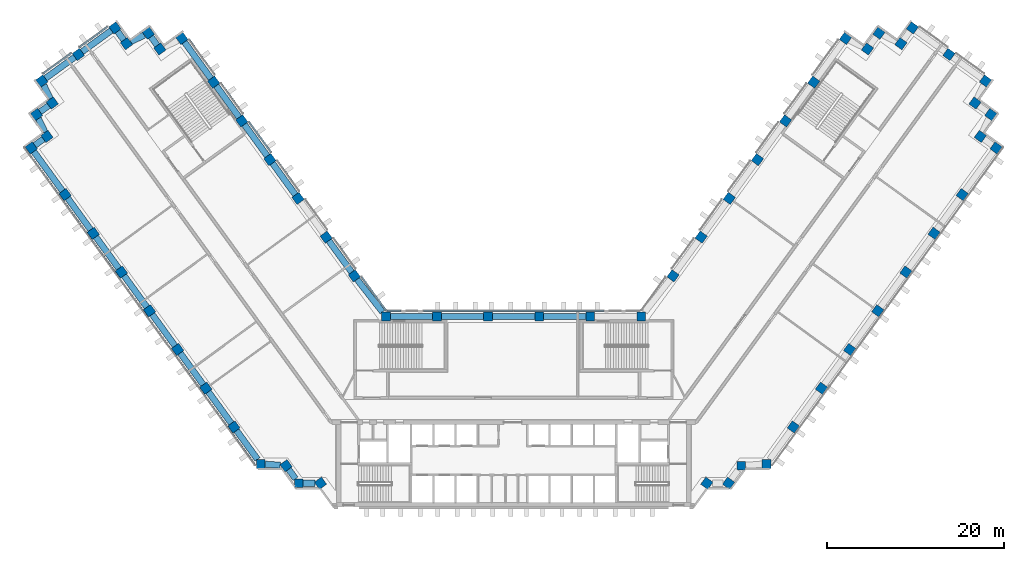
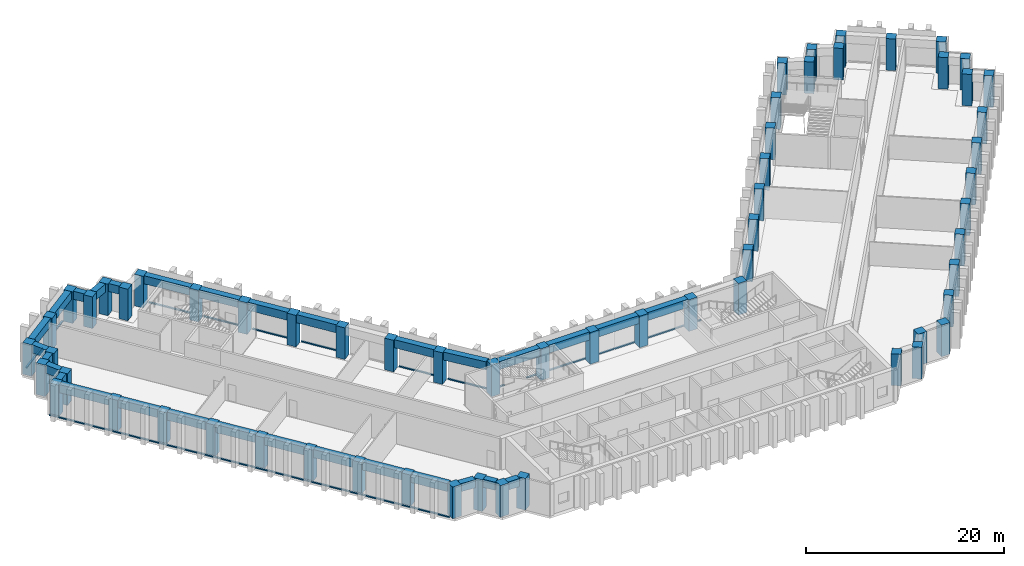
"""IFC4 building model written with IfcOpenShell, lengths in metres."""

from ifc_helpers import new_model, si_unit, direction, frame, origin, origin_2d, place, context, subcontext, project, spatial, rectangle, extrude, material, material_profile, profile_set, type_object, element, aggregate, save


model = new_model("IFC4")

# Units and contexts
model_context = context("Model", 3, precision=1e-05, world=origin(), true_north=direction((0.0, 1.0)))
body_context = subcontext(model_context, "Body", "Model", "MODEL_VIEW")
ifc_project = project(units=[si_unit("LENGTHUNIT", "METRE"), si_unit("AREAUNIT", "SQUARE_METRE"), si_unit("VOLUMEUNIT", "CUBIC_METRE"), si_unit("PLANEANGLEUNIT", "RADIAN"), si_unit("MASSUNIT", "GRAM", prefix="KILO")], contexts=[model_context])

# Site, building, storey
site_placement = place(None, origin())
site = spatial("IfcSite", under=ifc_project, at=site_placement, CompositionType="ELEMENT")
building_placement = place(site_placement, origin())
building = spatial("IfcBuilding", under=site, at=building_placement, Name="Quipu Civic Tower", CompositionType="ELEMENT")
storey_1_placement = place(building_placement, frame((0.0, 0.0, 20.5)))
storey_1 = spatial("IfcBuildingStorey", under=building, at=storey_1_placement, Name="L04", CompositionType="ELEMENT", Elevation=20.5)

# Columns
ifc_material_1 = material(Name="Concrete C80/95", Category="concrete")
ifc_material_profile_1 = material_profile(ifc_material_1, rectangle(XDim=1.0, YDim=1.0, at=origin_2d()), Name="RC1000x1000")
ifc_profile_set_1 = profile_set([ifc_material_profile_1], Name="Concrete C80/95")
column_type = type_object("IfcColumnType", Name="Perimeter column RC 1000x1000 C80/95", PredefinedType="COLUMN", material=ifc_profile_set_1)
for number, where, z_axis, x_axis, name in (
    (1, (-17.9736328125, 15.074951171875, 0.0), (0.0, 0.0, 1.0), (-0.587785252292, 0.809016994375, 0.0), "Column L04 W-IN-01"),
    (2, (-21.1474609375, 19.44384765625, 0.0), (0.0, 0.0, 1.0), (-0.587785252292, 0.809016994375, 0.0), "Column L04 W-IN-02"),
    (3, (-24.3212890625, 23.8125, 0.0), (0.0, 0.0, 1.0), (-0.587785252292, 0.809016994375, 0.0), "Column L04 W-IN-03"),
    (4, (-27.4951171875, 28.181396484375, 0.0), (0.0, 0.0, 1.0), (-0.587785252292, 0.809016994375, 0.0), "Column L04 W-IN-04"),
    (5, (-30.6689453125, 32.55029296875, 0.0), (0.0, 0.0, 1.0), (-0.587785252292, 0.809016994375, 0.0), "Column L04 W-IN-05"),
    (6, (-33.843017578125, 36.919189453125, 0.0), (0.0, 0.0, 1.0), (-0.587785252292, 0.809016994375, 0.0), "Column L04 W-IN-06"),
    (7, (-37.425048828125, 41.85009765625, 0.0), (0.0, 0.0, 1.0), (-0.587785252292, 0.809016994375, 0.0), "Column L04 T-Wi.0-W50"),
    (8, (-39.905517578125, 40.666015625, 0.0), (0.0, 0.0, 1.0), (-0.587785252292, 0.809016994375, 0.0), "Column L04 T-Wi.1-W50"),
    (9, (-41.199951171875, 42.445068359375, 0.0), (0.0, 0.0, 1.0), (-0.587785252292, 0.809016994375, 0.0), "Column L04 T-Wi.2-W50"),
    (10, (-43.674560546875, 41.264892578125, 0.0), (0.0, 0.0, 1.0), (-0.809016994375, -0.587785252292, 0.0), "Column L04 T-Wi.3-W50"),
    (11, (-44.969970703125, 43.044921875, 0.0), (0.0, 0.0, 1.0), (-0.809016994375, -0.587785252292, 0.0), "Column L04 T-Wi.4-W50"),
    (12, (-49.095703125, 40.046875, 0.0), (0.0, 0.0, 1.0), (-0.809016994375, -0.587785252292, 0.0), "Column L04 TIP-W-01-W50"),
    (13, (-53.219970703125, 37.050048828125, 0.0), (0.0, 0.0, 1.0), (0.587785252292, -0.809016994375, 0.0), "Column L04 T-Wo.0-W50"),
    (14, (-52.038818359375, 34.571044921875, 0.0), (0.0, 0.0, 1.0), (-0.809016994375, -0.587785252292, 0.0), "Column L04 T-Wo.1-W50"),
    (15, (-53.820068359375, 33.27490234375, 0.0), (0.0, 0.0, 1.0), (0.587785252292, -0.809016994375, 0.0), "Column L04 T-Wo.2-W50"),
    (16, (-52.635986328125, 30.799560546875, 0.0), (0.0, 0.0, 1.0), (-0.809016994375, -0.587785252292, 0.0), "Column L04 T-Wo.3-W50"),
    (17, (-54.4150390625, 29.5048828125, 0.0), (0.0, 0.0, 1.0), (0.587785252292, -0.809016994375, 0.0), "Column L04 T-Wo.4-W50"),
    (18, (-50.59228515625, 24.243408203125, 0.0), (0.0, 0.0, 1.0), (0.587785252292, -0.809016994375, 0.0), "Column L04 W-OUT-07"),
    (19, (-47.41845703125, 19.874755859375, 0.0), (0.0, 0.0, 1.0), (0.587785252292, -0.809016994375, 0.0), "Column L04 W-OUT-06"),
    (20, (-44.244384765625, 15.506103515625, 0.0), (0.0, 0.0, 1.0), (0.587785252292, -0.809016994375, 0.0), "Column L04 W-OUT-05"),
    (21, (-41.0703125, 11.137451171875, 0.0), (0.0, 0.0, 1.0), (0.587785252292, -0.809016994375, 0.0), "Column L04 W-OUT-04"),
    (22, (-37.896240234375, 6.768798828125, 0.0), (0.0, 0.0, 1.0), (0.587785252292, -0.809016994375, 0.0), "Column L04 W-OUT-03"),
    (23, (-34.722412109375, 2.39990234375, 0.0), (0.0, 0.0, 1.0), (0.587785252292, -0.809016994375, 0.0), "Column L04 W-OUT-02"),
    (24, (-31.54833984375, -1.96875, 0.0), (0.0, 0.0, 1.0), (0.587785252292, -0.809016994375, 0.0), "Column L04 W-OUT-01"),
    (25, (-28.52490234375, -6.1298828125, 0.0), (0.0, 0.0, 1.0), (1.0, 0.0, 0.0), "Column L04 J-Wo.0"),
    (26, (-25.67431640625, -6.3369140625, 0.0), (0.0, 0.0, 1.0), (0.587785252292, -0.809016994375, 0.0), "Column L04 J-Wo.1"),
    (27, (-24.235107421875, -8.31494140625, 0.0), (0.0, 0.0, 1.0), (1.0, 0.0, 0.0), "Column L04 J-Wo.2"),
    (28, (-21.791748046875, -8.31494140625, 0.0), (0.0, 0.0, 1.0), (0.587785252292, -0.809016994375, 0.0), "Column L04 J-Wo.3"),
    (29, (21.791748046875, -8.31494140625, 0.0), (0.0, 0.0, 1.0), (0.587785252292, 0.809016994375, 0.0), "Column L04 J-Eo.1"),
    (30, (24.235107421875, -8.31494140625, 0.0), (0.0, 0.0, 1.0), (0.587785252292, 0.809016994375, 0.0), "Column L04 J-Eo.2"),
    (31, (25.67431640625, -6.3369140625, 0.0), (0.0, 0.0, 1.0), (1.0, 0.0, 0.0), "Column L04 J-Eo.3"),
    (32, (28.52490234375, -6.1298828125, 0.0), (0.0, 0.0, 1.0), (1.0, 0.0, 0.0), "Column L04 J-Eo.4"),
    (33, (31.54833984375, -1.96875, 0.0), (0.0, 0.0, 1.0), (0.587785252292, 0.809016994375, 0.0), "Column L04 E-OUT-01"),
    (34, (34.722412109375, 2.39990234375, 0.0), (0.0, 0.0, 1.0), (0.587785252292, 0.809016994375, 0.0), "Column L04 E-OUT-02"),
    (35, (37.896240234375, 6.768798828125, 0.0), (0.0, 0.0, 1.0), (0.587785252292, 0.809016994375, 0.0), "Column L04 E-OUT-03"),
    (36, (41.0703125, 11.137451171875, 0.0), (0.0, 0.0, 1.0), (0.587785252292, 0.809016994375, 0.0), "Column L04 E-OUT-04"),
    (37, (44.244384765625, 15.506103515625, 0.0), (0.0, 0.0, 1.0), (0.587785252292, 0.809016994375, 0.0), "Column L04 E-OUT-05"),
    (38, (47.41845703125, 19.874755859375, 0.0), (0.0, 0.0, 1.0), (0.587785252292, 0.809016994375, 0.0), "Column L04 E-OUT-06"),
    (39, (50.59228515625, 24.243408203125, 0.0), (0.0, 0.0, 1.0), (0.587785252292, 0.809016994375, 0.0), "Column L04 E-OUT-07"),
    (40, (54.4150390625, 29.5048828125, 0.0), (0.0, 0.0, 1.0), (0.587785252292, 0.809016994375, 0.0), "Column L04 T-Eo.0-E50"),
    (41, (52.635986328125, 30.799560546875, 0.0), (0.0, 0.0, 1.0), (-0.809016994375, 0.587785252292, 0.0), "Column L04 T-Eo.1-E50"),
    (42, (53.820068359375, 33.27490234375, 0.0), (0.0, 0.0, 1.0), (-0.809016994375, 0.587785252292, 0.0), "Column L04 T-Eo.2-E50"),
    (43, (52.038818359375, 34.571044921875, 0.0), (0.0, 0.0, 1.0), (0.587785252292, 0.809016994375, 0.0), "Column L04 T-Eo.3-E50"),
    (44, (53.219970703125, 37.050048828125, 0.0), (0.0, 0.0, 1.0), (-0.809016994375, 0.587785252292, 0.0), "Column L04 T-Eo.4-E50"),
    (45, (49.095703125, 40.046875, 0.0), (0.0, 0.0, 1.0), (-0.809016994375, 0.587785252292, 0.0), "Column L04 TIP-E-01-E50"),
    (46, (44.969970703125, 43.044921875, 0.0), (0.0, 0.0, 1.0), (-0.809016994375, 0.587785252292, 0.0), "Column L04 T-Ei.0-E50"),
    (47, (43.674560546875, 41.264892578125, 0.0), (0.0, 0.0, 1.0), (-0.809016994375, 0.587785252292, 0.0), "Column L04 T-Ei.1-E50"),
    (48, (41.199951171875, 42.445068359375, 0.0), (0.0, 0.0, 1.0), (-0.587785252292, -0.809016994375, 0.0), "Column L04 T-Ei.2-E50"),
    (49, (39.905517578125, 40.666015625, 0.0), (0.0, 0.0, 1.0), (-0.587785252292, -0.809016994375, 0.0), "Column L04 T-Ei.3-E50"),
    (50, (37.425048828125, 41.85009765625, 0.0), (0.0, 0.0, 1.0), (-0.587785252292, -0.809016994375, 0.0), "Column L04 T-Ei.4-E50"),
    (51, (33.843017578125, 36.919189453125, 0.0), (0.0, 0.0, 1.0), (-0.587785252292, -0.809016994375, 0.0), "Column L04 E-IN-06"),
    (52, (30.6689453125, 32.55029296875, 0.0), (0.0, 0.0, 1.0), (-0.587785252292, -0.809016994375, 0.0), "Column L04 E-IN-05"),
    (53, (27.4951171875, 28.181396484375, 0.0), (0.0, 0.0, 1.0), (-0.587785252292, -0.809016994375, 0.0), "Column L04 E-IN-04"),
    (54, (24.3212890625, 23.8125, 0.0), (0.0, 0.0, 1.0), (-0.587785252292, -0.809016994375, 0.0), "Column L04 E-IN-03"),
    (55, (21.1474609375, 19.44384765625, 0.0), (0.0, 0.0, 1.0), (-0.587785252292, -0.809016994375, 0.0), "Column L04 E-IN-02"),
    (56, (17.9736328125, 15.074951171875, 0.0), (0.0, 0.0, 1.0), (-0.587785252292, -0.809016994375, 0.0), "Column L04 E-IN-01"),
    (57, (14.395263671875, 10.5, 0.0), (0.0, 0.0, 1.0), (-1.0, 0.0, 0.0), "Column L04 J-Ei.0"),
    (58, (8.63720703125, 10.5, 0.0), (0.0, 0.0, 1.0), (-1.0, 0.0, 0.0), "Column L04 FRONT-01"),
    (59, (2.87890625, 10.5, 0.0), (0.0, 0.0, 1.0), (-1.0, 0.0, 0.0), "Column L04 FRONT-02"),
    (60, (-2.87890625, 10.5, 0.0), (0.0, 0.0, 1.0), (-1.0, 0.0, 0.0), "Column L04 FRONT-03"),
    (61, (-8.63720703125, 10.5, 0.0), (0.0, 0.0, 1.0), (-1.0, 0.0, 0.0), "Column L04 FRONT-04"),
    (62, (-14.395263671875, 10.5, 0.0), (0.0, 0.0, 1.0), (-1.0, 0.0, 0.0), "Column L04 J-Wi.0"),
):
    element("IfcColumn", number, at=place(storey_1_placement, frame(where, z_axis=z_axis, x_axis=x_axis)), inside=storey_1, type_object=column_type, Name=name, PredefinedType="COLUMN", context=body_context, shape_type="SweptSolid", body=[
        extrude(rectangle(XDim=1.0, YDim=1.0, at=origin_2d()), origin(), (0.0, 0.0, 1.0), 3.89990234375),
    ])

# Beams
ifc_material_2 = material(Name="Concrete C50/60", Category="concrete")
ifc_material_profile_2 = material_profile(ifc_material_2, rectangle(XDim=0.699951171875, YDim=1.0, at=origin_2d()), Name="RC700x1000")
ifc_profile_set_2 = profile_set([ifc_material_profile_2], Name="Concrete C50/60")
beam_type = type_object("IfcBeamType", Name="Spandrel beam RC 700x1000 C50/60", PredefinedType="SPANDREL", material=ifc_profile_set_2)
beam_1_placement = place(storey_1_placement, frame((-18.267578125, 15.4794921875, 3.39990234375), z_axis=(-0.587722908759, 0.809062285934, 0.0), x_axis=(-0.809062285934, -0.587722908759, 0.0)))
element("IfcBeam", 63, at=beam_1_placement, inside=storey_1, type_object=beam_type, Name="Spandrel beam L04 W-IN-01 to W-IN-02", PredefinedType="SPANDREL", context=body_context, shape_type="SweptSolid", body=[
    extrude(rectangle(XDim=0.699951171875, YDim=1.0, at=origin_2d()), origin(), (0.0, 0.0, 1.0), 4.39990234375),
])
for number, where, z_axis, x_axis, name in (
    (64, (-24.615234375, 24.217041015625, 3.39990234375), (-0.587732844487, 0.809055068281, 0.0), (-0.809055068281, -0.587732844487, 0.0), "Spandrel beam L04 W-IN-03 to W-IN-04"),
    (65, (-27.7890625, 28.5859375, 3.39990234375), (-0.587759228046, 0.809035901457, 0.0), (-0.809035901457, -0.587759228046, 0.0), "Spandrel beam L04 W-IN-04 to W-IN-05"),
    (66, (-30.962890625, 32.954833984375, 3.39990234375), (-0.587759228046, 0.809035901457, 0.0), (-0.809035901457, -0.587759228046, 0.0), "Spandrel beam L04 W-IN-05 to W-IN-06"),
):
    element("IfcBeam", number, at=place(storey_1_placement, frame(where, z_axis=z_axis, x_axis=x_axis)), inside=storey_1, type_object=beam_type, Name=name, PredefinedType="SPANDREL", context=body_context, shape_type="SweptSolid", body=[
        extrude(rectangle(XDim=0.699951171875, YDim=1.0, at=origin_2d()), origin(), (0.0, 0.0, 1.0), 4.400146484375),
    ])
beam_2_placement = place(storey_1_placement, frame((-34.13671875, 37.32373046875, 3.39990234375), z_axis=(-0.587747065363, 0.809044737426, 0.0), x_axis=(-0.809044737426, -0.587747065363, 0.0)))
element("IfcBeam", 67, at=beam_2_placement, inside=storey_1, type_object=beam_type, Name="Spandrel beam L04 W-IN-06 to T-Wi.0-W50", PredefinedType="SPANDREL", context=body_context, shape_type="SweptSolid", body=[
    extrude(rectangle(XDim=0.699951171875, YDim=1.0, at=origin_2d()), origin(), (0.0, 0.0, 1.0), 5.0947265625),
])
beam_3_placement = place(storey_1_placement, frame((-40.19970703125, 41.0703125, 3.39990234375), z_axis=(-0.588316837584, 0.808630508091, 0.0), x_axis=(-0.808630508091, -0.588316837584, 0.0)))
element("IfcBeam", 68, at=beam_3_placement, inside=storey_1, type_object=beam_type, Name="Spandrel beam L04 T-Wi.1-W50 to T-Wi.2-W50", PredefinedType="SPANDREL", context=body_context, shape_type="SweptSolid", body=[
    extrude(rectangle(XDim=0.699951171875, YDim=1.0, at=origin_2d()), origin(), (0.0, 0.0, 1.0), 1.2001953125),
])
beam_4_placement = place(storey_1_placement, frame((-41.658935546875, 42.22607421875, 3.39990234375), z_axis=(-0.902651065962, -0.430373155666, 0.0), x_axis=(0.430373155666, -0.902651065962, 0.0)))
element("IfcBeam", 69, at=beam_4_placement, inside=storey_1, type_object=beam_type, Name="Spandrel beam L04 T-Wi.2-W50 to T-Wi.3-W50", PredefinedType="SPANDREL", context=body_context, shape_type="SweptSolid", body=[
    extrude(rectangle(XDim=0.699951171875, YDim=1.0, at=origin_2d()), origin(), (0.0, 0.0, 1.0), 1.724609375),
])
beam_5_placement = place(storey_1_placement, frame((-43.96875, 41.669189453125, 3.39990234375), z_axis=(-0.588461629015, 0.808525145667, 0.0), x_axis=(-0.808525145667, -0.588461629015, 0.0)))
element("IfcBeam", 70, at=beam_5_placement, inside=storey_1, type_object=beam_type, Name="Spandrel beam L04 T-Wi.3-W50 to T-Wi.4-W50", PredefinedType="SPANDREL", context=body_context, shape_type="SweptSolid", body=[
    extrude(rectangle(XDim=0.699951171875, YDim=1.0, at=origin_2d()), origin(), (0.0, 0.0, 1.0), 1.201416015625),
])
beam_6_placement = place(storey_1_placement, frame((-45.37451171875, 42.7509765625, 3.39990234375), z_axis=(-0.808983206573, -0.587831754401, 0.0), x_axis=(0.587831754401, -0.808983206573, 0.0)))
element("IfcBeam", 71, at=beam_6_placement, inside=storey_1, type_object=beam_type, Name="Spandrel beam L04 T-Wi.4-W50 to TIP-W-01-W50", PredefinedType="SPANDREL", context=body_context, shape_type="SweptSolid", body=[
    extrude(rectangle(XDim=0.699951171875, YDim=1.0, at=origin_2d()), origin(), (0.0, 0.0, 1.0), 4.10009765625),
])
beam_7_placement = place(storey_1_placement, frame((-49.500244140625, 39.7529296875, 3.39990234375), z_axis=(-0.808980758408, -0.587835123589, 0.0), x_axis=(0.587835123589, -0.808980758408, 0.0)))
element("IfcBeam", 72, at=beam_7_placement, inside=storey_1, type_object=beam_type, Name="Spandrel beam L04 TIP-W-01-W50 to T-Wo.0-W50", PredefinedType="SPANDREL", context=body_context, shape_type="SweptSolid", body=[
    extrude(rectangle(XDim=0.699951171875, YDim=1.0, at=origin_2d()), origin(), (0.0, 0.0, 1.0), 4.097900390625),
])
beam_8_placement = place(storey_1_placement, frame((-53.001220703125, 36.5908203125, 3.39990234375), z_axis=(0.430185740912, -0.902740399182, 0.0), x_axis=(0.902740399182, 0.430185740912, 0.0)))
element("IfcBeam", 73, at=beam_8_placement, inside=storey_1, type_object=beam_type, Name="Spandrel beam L04 T-Wo.0-W50 to T-Wo.1-W50", PredefinedType="SPANDREL", context=body_context, shape_type="SweptSolid", body=[
    extrude(rectangle(XDim=0.699951171875, YDim=1.0, at=origin_2d()), origin(), (0.0, 0.0, 1.0), 1.728759765625),
])
beam_9_placement = place(storey_1_placement, frame((-52.443115234375, 34.27685546875, 3.39990234375), z_axis=(-0.808586856323, -0.588376831446, 0.0), x_axis=(0.588376831446, -0.808586856323, 0.0)))
element("IfcBeam", 74, at=beam_9_placement, inside=storey_1, type_object=beam_type, Name="Spandrel beam L04 T-Wo.1-W50 to T-Wo.2-W50", PredefinedType="SPANDREL", context=body_context, shape_type="SweptSolid", body=[
    extrude(rectangle(XDim=0.699951171875, YDim=1.0, at=origin_2d()), origin(), (0.0, 0.0, 1.0), 1.202880859375),
])
beam_10_placement = place(storey_1_placement, frame((-53.6005859375, 32.81640625, 3.39990234375), z_axis=(0.431370473785, -0.902174880135, 0.0), x_axis=(0.902174880135, 0.431370473785, 0.0)))
element("IfcBeam", 75, at=beam_10_placement, inside=storey_1, type_object=beam_type, Name="Spandrel beam L04 T-Wo.2-W50 to T-Wo.3-W50", PredefinedType="SPANDREL", context=body_context, shape_type="SweptSolid", body=[
    extrude(rectangle(XDim=0.699951171875, YDim=1.0, at=origin_2d()), origin(), (0.0, 0.0, 1.0), 1.727294921875),
])
beam_11_placement = place(storey_1_placement, frame((-53.040283203125, 30.50537109375, 3.39990234375), z_axis=(-0.808630508091, -0.588316837584, 0.0), x_axis=(0.588316837584, -0.808630508091, 0.0)))
element("IfcBeam", 76, at=beam_11_placement, inside=storey_1, type_object=beam_type, Name="Spandrel beam L04 T-Wo.3-W50 to T-Wo.4-W50", PredefinedType="SPANDREL", context=body_context, shape_type="SweptSolid", body=[
    extrude(rectangle(XDim=0.699951171875, YDim=1.0, at=origin_2d()), origin(), (0.0, 0.0, 1.0), 1.2001953125),
])
beam_12_placement = place(storey_1_placement, frame((-54.12109375, 29.1005859375, 3.39990234375), z_axis=(0.587765432916, -0.809031393624, 0.0), x_axis=(0.809031393624, 0.587765432916, 0.0)))
element("IfcBeam", 77, at=beam_12_placement, inside=storey_1, type_object=beam_type, Name="Spandrel beam L04 T-Wo.4-W50 to W-OUT-07", PredefinedType="SPANDREL", context=body_context, shape_type="SweptSolid", body=[
    extrude(rectangle(XDim=0.699951171875, YDim=1.0, at=origin_2d()), origin(), (0.0, 0.0, 1.0), 5.503662109375),
])
beam_13_placement = place(storey_1_placement, frame((-50.298583984375, 23.839111328125, 3.39990234375), z_axis=(0.587759228046, -0.809035901457, 0.0), x_axis=(0.809035901457, 0.587759228046, 0.0)))
element("IfcBeam", 78, at=beam_13_placement, inside=storey_1, type_object=beam_type, Name="Spandrel beam L04 W-OUT-07 to W-OUT-06", PredefinedType="SPANDREL", context=body_context, shape_type="SweptSolid", body=[
    extrude(rectangle(XDim=0.699951171875, YDim=1.0, at=origin_2d()), origin(), (0.0, 0.0, 1.0), 4.400146484375),
])
beam_14_placement = place(storey_1_placement, frame((-47.12451171875, 19.47021484375, 3.39990234375), z_axis=(0.587785613349, -0.809016732052, 0.0), x_axis=(0.809016732052, 0.587785613349, 0.0)))
element("IfcBeam", 79, at=beam_14_placement, inside=storey_1, type_object=beam_type, Name="Spandrel beam L04 W-OUT-06 to W-OUT-05", PredefinedType="SPANDREL", context=body_context, shape_type="SweptSolid", body=[
    extrude(rectangle(XDim=0.699951171875, YDim=1.0, at=origin_2d()), origin(), (0.0, 0.0, 1.0), 4.39990234375),
])
for number, where, z_axis, x_axis, name in (
    (80, (-43.950439453125, 15.101806640625, 3.39990234375), (0.587759228046, -0.809035901457, 0.0), (0.809035901457, 0.587759228046, 0.0), "Spandrel beam L04 W-OUT-05 to W-OUT-04"),
    (81, (-40.776611328125, 10.73291015625, 3.39990234375), (0.58779554378, -0.809009517072, 0.0), (0.809009517072, 0.58779554378, 0.0), "Spandrel beam L04 W-OUT-04 to W-OUT-03"),
    (82, (-37.602294921875, 6.3642578125, 3.39990234375), (0.587759228046, -0.809035901457, 0.0), (0.809035901457, 0.587759228046, 0.0), "Spandrel beam L04 W-OUT-03 to W-OUT-02"),
    (83, (-34.428466796875, 1.99560546875, 3.39990234375), (0.587759228046, -0.809035901457, 0.0), (0.809035901457, 0.587759228046, 0.0), "Spandrel beam L04 W-OUT-02 to W-OUT-01"),
):
    element("IfcBeam", number, at=place(storey_1_placement, frame(where, z_axis=z_axis, x_axis=x_axis)), inside=storey_1, type_object=beam_type, Name=name, PredefinedType="SPANDREL", context=body_context, shape_type="SweptSolid", body=[
        extrude(rectangle(XDim=0.699951171875, YDim=1.0, at=origin_2d()), origin(), (0.0, 0.0, 1.0), 4.400146484375),
    ])
beam_15_placement = place(storey_1_placement, frame((-31.25439453125, -2.373291015625, 3.39990234375), z_axis=(0.587811022966, -0.808998270258, 0.0), x_axis=(0.808998270258, 0.587811022966, 0.0)))
element("IfcBeam", 84, at=beam_15_placement, inside=storey_1, type_object=beam_type, Name="Spandrel beam L04 W-OUT-01 to J-Wo.0", PredefinedType="SPANDREL", context=body_context, shape_type="SweptSolid", body=[
    extrude(rectangle(XDim=0.699951171875, YDim=1.0, at=origin_2d()), origin(), (0.0, 0.0, 1.0), 4.025390625),
])
beam_16_placement = place(storey_1_placement, frame((-28.02490234375, -6.166259765625, 3.39990234375), z_axis=(0.99737429836, -0.072418982124, 0.0), x_axis=(0.072418982124, 0.99737429836, 0.0)))
element("IfcBeam", 85, at=beam_16_placement, inside=storey_1, type_object=beam_type, Name="Spandrel beam L04 J-Wo.0 to J-Wo.1", PredefinedType="SPANDREL", context=body_context, shape_type="SweptSolid", body=[
    extrude(rectangle(XDim=0.699951171875, YDim=1.0, at=origin_2d()), origin(), (0.0, 0.0, 1.0), 1.702392578125),
])
beam_17_placement = place(storey_1_placement, frame((-25.380126953125, -6.7412109375, 3.39990234375), z_axis=(0.588346597772, -0.808608855313, 0.0), x_axis=(0.808608855313, 0.588346597772, 0.0)))
element("IfcBeam", 86, at=beam_17_placement, inside=storey_1, type_object=beam_type, Name="Spandrel beam L04 J-Wo.1 to J-Wo.2", PredefinedType="SPANDREL", context=body_context, shape_type="SweptSolid", body=[
    extrude(rectangle(XDim=0.699951171875, YDim=1.0, at=origin_2d()), origin(), (0.0, 0.0, 1.0), 1.327880859375),
])
beam_18_placement = place(storey_1_placement, frame((-23.735107421875, -8.31494140625, 3.39990234375), z_axis=(1.0, 0.0, 0.0), x_axis=(0.0, 1.0, 0.0)))
element("IfcBeam", 87, at=beam_18_placement, inside=storey_1, type_object=beam_type, Name="Spandrel beam L04 J-Wo.2 to J-Wo.3", PredefinedType="SPANDREL", context=body_context, shape_type="SweptSolid", body=[
    extrude(rectangle(XDim=0.699951171875, YDim=1.0, at=origin_2d()), origin(), (0.0, 0.0, 1.0), 1.3251953125),
])
beam_19_placement = place(storey_1_placement, frame((8.13720703125, 10.5, 3.39990234375), z_axis=(-1.0, 0.0, 0.0), x_axis=(0.0, -1.0, 0.0)))
element("IfcBeam", 88, at=beam_19_placement, inside=storey_1, type_object=beam_type, Name="Spandrel beam L04 FRONT-01 to FRONT-02", PredefinedType="SPANDREL", context=body_context, shape_type="SweptSolid", body=[
    extrude(rectangle(XDim=0.699951171875, YDim=1.0, at=origin_2d()), origin(), (0.0, 0.0, 1.0), 4.75830078125),
])
beam_20_placement = place(storey_1_placement, frame((2.37890625, 10.5, 3.39990234375), z_axis=(-1.0, 0.0, 0.0), x_axis=(0.0, -1.0, 0.0)))
element("IfcBeam", 89, at=beam_20_placement, inside=storey_1, type_object=beam_type, Name="Spandrel beam L04 FRONT-02 to FRONT-03", PredefinedType="SPANDREL", context=body_context, shape_type="SweptSolid", body=[
    extrude(rectangle(XDim=0.699951171875, YDim=1.0, at=origin_2d()), origin(), (0.0, 0.0, 1.0), 4.7578125),
])
beam_21_placement = place(storey_1_placement, frame((-3.37890625, 10.5, 3.39990234375), z_axis=(-1.0, 0.0, 0.0), x_axis=(0.0, -1.0, 0.0)))
element("IfcBeam", 90, at=beam_21_placement, inside=storey_1, type_object=beam_type, Name="Spandrel beam L04 FRONT-03 to FRONT-04", PredefinedType="SPANDREL", context=body_context, shape_type="SweptSolid", body=[
    extrude(rectangle(XDim=0.699951171875, YDim=1.0, at=origin_2d()), origin(), (0.0, 0.0, 1.0), 4.75830078125),
])
beam_22_placement = place(storey_1_placement, frame((-9.13720703125, 10.5, 3.39990234375), z_axis=(-1.0, 0.0, 0.0), x_axis=(0.0, -1.0, 0.0)))
element("IfcBeam", 91, at=beam_22_placement, inside=storey_1, type_object=beam_type, Name="Spandrel beam L04 FRONT-04 to J-Wi.0", PredefinedType="SPANDREL", context=body_context, shape_type="SweptSolid", body=[
    extrude(rectangle(XDim=0.699951171875, YDim=1.0, at=origin_2d()), origin(), (0.0, 0.0, 1.0), 4.758056640625),
])
beam_23_placement = place(storey_1_placement, frame((-14.786376953125, 11.0, 3.39990234375), z_axis=(-0.616068753057, 0.787692383806, 0.0), x_axis=(-0.787692383806, -0.616068753057, 0.0)))
element("IfcBeam", 92, at=beam_23_placement, inside=storey_1, type_object=beam_type, Name="Spandrel beam L04 J-Wi.0 to W-IN-01", PredefinedType="SPANDREL", context=body_context, shape_type="SweptSolid", body=[
    extrude(rectangle(XDim=0.699951171875, YDim=1.0, at=origin_2d()), origin(), (0.0, 0.0, 1.0), 4.673095703125),
])

# Storey
storey_2_placement = place(building_placement, frame((0.0, 0.0, 16.0)))
storey_2 = spatial("IfcBuildingStorey", under=building, at=storey_2_placement, Name="L03", CompositionType="ELEMENT", Elevation=16.0)

# Curtain wall, member
ifc_material_3 = material(Name="Insulated glass unit", Category="glass")
curtain_wall_type = type_object("IfcCurtainWallType", Name="Public services curtain wall CW3", PredefinedType="NOTDEFINED", material=ifc_material_3)
curtain_wall_1_placement = place(storey_2_placement, origin())
curtain_wall_1 = element("IfcCurtainWall", 93, at=curtain_wall_1_placement, inside=storey_2, type_object=curtain_wall_type, Name="Public services curtain wall CW3 L02 run 1", PredefinedType="NOTDEFINED")
ifc_material_4 = material(Name="Anodised aluminium", Category="aluminium")
ifc_material_profile_3 = material_profile(ifc_material_4, rectangle(XDim=0.199951171875, YDim=0.139892578125, at=origin_2d()), Name="RECT 200x140")
ifc_profile_set_3 = profile_set([ifc_material_profile_3], Name="Anodised aluminium")
member_type = type_object("IfcMemberType", Name="Transom CW3", PredefinedType="USERDEFINED", material=ifc_profile_set_3)
member_1_placement = place(storey_1_placement, frame((-14.403076171875, 11.180908203125, 0.070068359375), z_axis=(-0.587781327652, 0.809019845779, 0.0), x_axis=(-0.809019845779, -0.587781327652, 0.0)))
member_1 = element("IfcMember", 94, at=member_1_placement, inside=storey_1, type_object=member_type, Name="CW3 transom 1.3", ObjectType="TRANSOM", PredefinedType="USERDEFINED", context=body_context, shape_type="SweptSolid", body=[
    extrude(rectangle(XDim=0.199951171875, YDim=0.139892578125, at=origin_2d()), origin(), (0.0, 0.0, 1.0), 4.649169921875),
])
aggregate(curtain_wall_1, [member_1])

curtain_wall_2_placement = place(storey_2_placement, origin())
curtain_wall_2 = element("IfcCurtainWall", 95, at=curtain_wall_2_placement, inside=storey_2, type_object=curtain_wall_type, Name="Public services curtain wall CW3 L02 run 2", PredefinedType="NOTDEFINED")
member_2_placement = place(storey_1_placement, frame((-17.841064453125, 15.9130859375, 0.070068359375), z_axis=(-0.587812175236, 0.808997433027, 0.0), x_axis=(-0.808997433027, -0.587812175236, 0.0)))
member_2 = element("IfcMember", 96, at=member_2_placement, inside=storey_1, type_object=member_type, Name="CW3 transom 1.3", ObjectType="TRANSOM", PredefinedType="USERDEFINED", context=body_context, shape_type="SweptSolid", body=[
    extrude(rectangle(XDim=0.199951171875, YDim=0.139892578125, at=origin_2d()), origin(), (0.0, 0.0, 1.0), 4.199951171875),
])
aggregate(curtain_wall_2, [member_2])

curtain_wall_3_placement = place(storey_2_placement, origin())
curtain_wall_3 = element("IfcCurtainWall", 97, at=curtain_wall_3_placement, inside=storey_2, type_object=curtain_wall_type, Name="Public services curtain wall CW3 L02 run 4", PredefinedType="NOTDEFINED")
member_3_placement = place(storey_1_placement, frame((-24.18896484375, 24.650390625, 0.070068359375), z_axis=(-0.587812175236, 0.808997433027, 0.0), x_axis=(-0.808997433027, -0.587812175236, 0.0)))
member_3 = element("IfcMember", 98, at=member_3_placement, inside=storey_1, type_object=member_type, Name="CW3 transom 1.3", ObjectType="TRANSOM", PredefinedType="USERDEFINED", context=body_context, shape_type="SweptSolid", body=[
    extrude(rectangle(XDim=0.199951171875, YDim=0.139892578125, at=origin_2d()), origin(), (0.0, 0.0, 1.0), 4.199951171875),
])
aggregate(curtain_wall_3, [member_3])

curtain_wall_4_placement = place(storey_2_placement, origin())
curtain_wall_4 = element("IfcCurtainWall", 99, at=curtain_wall_4_placement, inside=storey_2, type_object=curtain_wall_type, Name="Public services curtain wall CW3 L02 run 5", PredefinedType="NOTDEFINED")
member_4_placement = place(storey_1_placement, frame((-27.36328125, 29.01904296875, 0.070068359375), z_axis=(-0.587746486169, 0.809045158194, 0.0), x_axis=(-0.809045158194, -0.587746486169, 0.0)))
member_4 = element("IfcMember", 100, at=member_4_placement, inside=storey_1, type_object=member_type, Name="CW3 transom 1.3", ObjectType="TRANSOM", PredefinedType="USERDEFINED", context=body_context, shape_type="SweptSolid", body=[
    extrude(rectangle(XDim=0.199951171875, YDim=0.139892578125, at=origin_2d()), origin(), (0.0, 0.0, 1.0), 4.199951171875),
])
aggregate(curtain_wall_4, [member_4])

curtain_wall_5_placement = place(storey_2_placement, origin())
curtain_wall_5 = element("IfcCurtainWall", 101, at=curtain_wall_5_placement, inside=storey_2, type_object=curtain_wall_type, Name="Public services curtain wall CW3 L02 run 6", PredefinedType="NOTDEFINED")
member_5_placement = place(storey_1_placement, frame((-30.537109375, 33.3876953125, 0.070068359375), z_axis=(-0.587784533062, 0.809017516926, 0.0), x_axis=(-0.809017516926, -0.587784533062, 0.0)))
member_5 = element("IfcMember", 102, at=member_5_placement, inside=storey_1, type_object=member_type, Name="CW3 transom 1.3", ObjectType="TRANSOM", PredefinedType="USERDEFINED", context=body_context, shape_type="SweptSolid", body=[
    extrude(rectangle(XDim=0.199951171875, YDim=0.139892578125, at=origin_2d()), origin(), (0.0, 0.0, 1.0), 4.2001953125),
])
aggregate(curtain_wall_5, [member_5])

curtain_wall_6_placement = place(storey_2_placement, origin())
curtain_wall_6 = element("IfcCurtainWall", 103, at=curtain_wall_6_placement, inside=storey_2, type_object=curtain_wall_type, Name="Public services curtain wall CW3 L02 run 7", PredefinedType="NOTDEFINED")
member_6_placement = place(storey_1_placement, frame((-33.711181640625, 37.756591796875, 0.070068359375), z_axis=(-0.587792001702, 0.809012090599, 0.0), x_axis=(-0.809012090599, -0.587792001702, 0.0)))
member_6 = element("IfcMember", 104, at=member_6_placement, inside=storey_1, type_object=member_type, Name="CW3 transom 1.3", ObjectType="TRANSOM", PredefinedType="USERDEFINED", context=body_context, shape_type="SweptSolid", body=[
    extrude(rectangle(XDim=0.199951171875, YDim=0.139892578125, at=origin_2d()), origin(), (0.0, 0.0, 1.0), 4.89453125),
])
aggregate(curtain_wall_6, [member_6])

curtain_wall_7_placement = place(storey_2_placement, origin())
curtain_wall_7 = element("IfcCurtainWall", 105, at=curtain_wall_7_placement, inside=storey_2, type_object=curtain_wall_type, Name="Public services curtain wall CW3 L02 run 12", PredefinedType="NOTDEFINED")
member_7_placement = place(storey_1_placement, frame((-45.807373046875, 43.1767578125, 0.070068359375), z_axis=(-0.809041868783, -0.587751014083, 0.0), x_axis=(0.587751014083, -0.809041868783, 0.0)))
member_7 = element("IfcMember", 106, at=member_7_placement, inside=storey_1, type_object=member_type, Name="CW3 transom 1.3", ObjectType="TRANSOM", PredefinedType="USERDEFINED", context=body_context, shape_type="SweptSolid", body=[
    extrude(rectangle(XDim=0.199951171875, YDim=0.139892578125, at=origin_2d()), origin(), (0.0, 0.0, 1.0), 3.89990234375),
])
aggregate(curtain_wall_7, [member_7])

curtain_wall_8_placement = place(storey_2_placement, origin())
curtain_wall_8 = element("IfcCurtainWall", 107, at=curtain_wall_8_placement, inside=storey_2, type_object=curtain_wall_type, Name="Public services curtain wall CW3 L02 run 13", PredefinedType="NOTDEFINED")
member_8_placement = place(storey_1_placement, frame((-49.93359375, 40.17919921875, 0.070068359375), z_axis=(-0.809009543625, -0.587795507233, 0.0), x_axis=(0.587795507233, -0.809009543625, 0.0)))
member_8 = element("IfcMember", 108, at=member_8_placement, inside=storey_1, type_object=member_type, Name="CW3 transom 1.3", ObjectType="TRANSOM", PredefinedType="USERDEFINED", context=body_context, shape_type="SweptSolid", body=[
    extrude(rectangle(XDim=0.199951171875, YDim=0.139892578125, at=origin_2d()), origin(), (0.0, 0.0, 1.0), 3.89794921875),
])
aggregate(curtain_wall_8, [member_8])

# Curtain wall, members
curtain_wall_9_placement = place(storey_2_placement, origin())
curtain_wall_9 = element("IfcCurtainWall", 109, at=curtain_wall_9_placement, inside=storey_2, type_object=curtain_wall_type, Name="Public services curtain wall CW3 L02 run 18", PredefinedType="NOTDEFINED")
member_9_placement = place(storey_1_placement, frame((-55.1953125, 29.5576171875, 0.070068359375), z_axis=(0.587797192867, -0.809008318905, 0.0), x_axis=(0.809008318905, 0.587797192867, 0.0)))
member_9 = element("IfcMember", 110, at=member_9_placement, inside=storey_1, type_object=member_type, Name="CW3 transom 1.3", ObjectType="TRANSOM", PredefinedType="USERDEFINED", context=body_context, shape_type="SweptSolid", body=[
    extrude(rectangle(XDim=0.199951171875, YDim=0.139892578125, at=origin_2d()), origin(), (0.0, 0.0, 1.0), 10.971435546875),
])
member_10_placement = place(storey_1_placement, frame((-48.687744140625, 20.6005859375, 0.070068359375), z_axis=(0.587788351912, -0.80901474236, 0.0), x_axis=(0.80901474236, 0.587788351912, 0.0)))
member_10 = element("IfcMember", 111, at=member_10_placement, inside=storey_1, type_object=member_type, Name="CW3 transom 2.3", ObjectType="TRANSOM", PredefinedType="USERDEFINED", context=body_context, shape_type="SweptSolid", body=[
    extrude(rectangle(XDim=0.199951171875, YDim=0.139892578125, at=origin_2d()), origin(), (0.0, 0.0, 1.0), 11.021484375),
])
member_11_placement = place(storey_1_placement, frame((-42.150634765625, 11.603271484375, 0.070068359375), z_axis=(0.587777818391, -0.809022395368, 0.0), x_axis=(0.809022395368, 0.587777818391, 0.0)))
member_11 = element("IfcMember", 112, at=member_11_placement, inside=storey_1, type_object=member_type, Name="CW3 transom 3.3", ObjectType="TRANSOM", PredefinedType="USERDEFINED", context=body_context, shape_type="SweptSolid", body=[
    extrude(rectangle(XDim=0.199951171875, YDim=0.139892578125, at=origin_2d()), origin(), (0.0, 0.0, 1.0), 11.021728515625),
])
member_12_placement = place(storey_1_placement, frame((-35.613525390625, 2.605712890625, 0.070068359375), z_axis=(0.587772046886, -0.8090265885, 0.0), x_axis=(0.8090265885, 0.587772046886, 0.0)))
member_12 = element("IfcMember", 113, at=member_12_placement, inside=storey_1, type_object=member_type, Name="CW3 transom 4.3", ObjectType="TRANSOM", PredefinedType="USERDEFINED", context=body_context, shape_type="SweptSolid", body=[
    extrude(rectangle(XDim=0.199951171875, YDim=0.139892578125, at=origin_2d()), origin(), (0.0, 0.0, 1.0), 10.971435546875),
])
aggregate(curtain_wall_9, [member_9, member_10, member_11, member_12])

curtain_wall_10_placement = place(storey_2_placement, origin())
curtain_wall_10 = element("IfcCurtainWall", 114, at=curtain_wall_10_placement, inside=storey_2, type_object=curtain_wall_type, Name="Public services curtain wall CW3 L02 run 52", PredefinedType="NOTDEFINED")
member_13_placement = place(storey_1_placement, frame((10.16357421875, 11.10009765625, 0.070068359375), z_axis=(-1.0, 0.0, 0.0), x_axis=(0.0, -1.0, 0.0)))
member_13 = element("IfcMember", 115, at=member_13_placement, inside=storey_1, type_object=member_type, Name="CW3 transom 1.3", ObjectType="TRANSOM", PredefinedType="USERDEFINED", context=body_context, shape_type="SweptSolid", body=[
    extrude(rectangle(XDim=0.199951171875, YDim=0.139892578125, at=origin_2d()), origin(), (0.0, 0.0, 1.0), 10.113525390625),
])
member_14_placement = place(storey_1_placement, frame((-0.050048828125, 11.10009765625, 0.070068359375), z_axis=(-1.0, 0.0, 0.0), x_axis=(0.0, -1.0, 0.0)))
member_14 = element("IfcMember", 116, at=member_14_placement, inside=storey_1, type_object=member_type, Name="CW3 transom 2.3", ObjectType="TRANSOM", PredefinedType="USERDEFINED", context=body_context, shape_type="SweptSolid", body=[
    extrude(rectangle(XDim=0.199951171875, YDim=0.139892578125, at=origin_2d()), origin(), (0.0, 0.0, 1.0), 10.113525390625),
])
aggregate(curtain_wall_10, [member_13, member_14])

# Curtain wall, member
curtain_wall_11_placement = place(storey_2_placement, origin())
curtain_wall_11 = element("IfcCurtainWall", 117, at=curtain_wall_11_placement, inside=storey_2, type_object=curtain_wall_type, Name="Public services curtain wall CW3 L02 run 54", PredefinedType="NOTDEFINED")
member_15_placement = place(storey_1_placement, frame((-12.7548828125, 11.10009765625, 0.070068359375), z_axis=(-1.0, 0.0, 0.0), x_axis=(0.0, -1.0, 0.0)))
member_15 = element("IfcMember", 118, at=member_15_placement, inside=storey_1, type_object=member_type, Name="CW3 transom 1.3", ObjectType="TRANSOM", PredefinedType="USERDEFINED", context=body_context, shape_type="SweptSolid", body=[
    extrude(rectangle(XDim=0.199951171875, YDim=0.139892578125, at=origin_2d()), origin(), (0.0, 0.0, 1.0), 1.4892578125),
])
aggregate(curtain_wall_11, [member_15])

save(model, "model.ifc")
